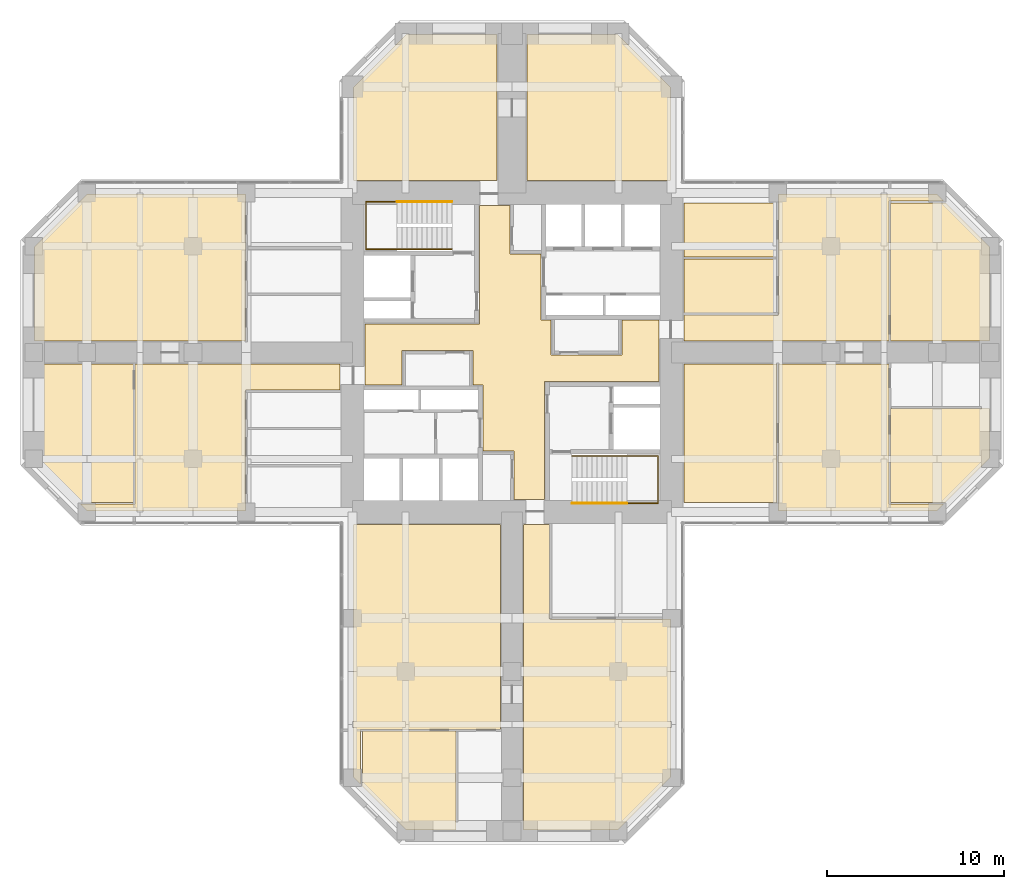
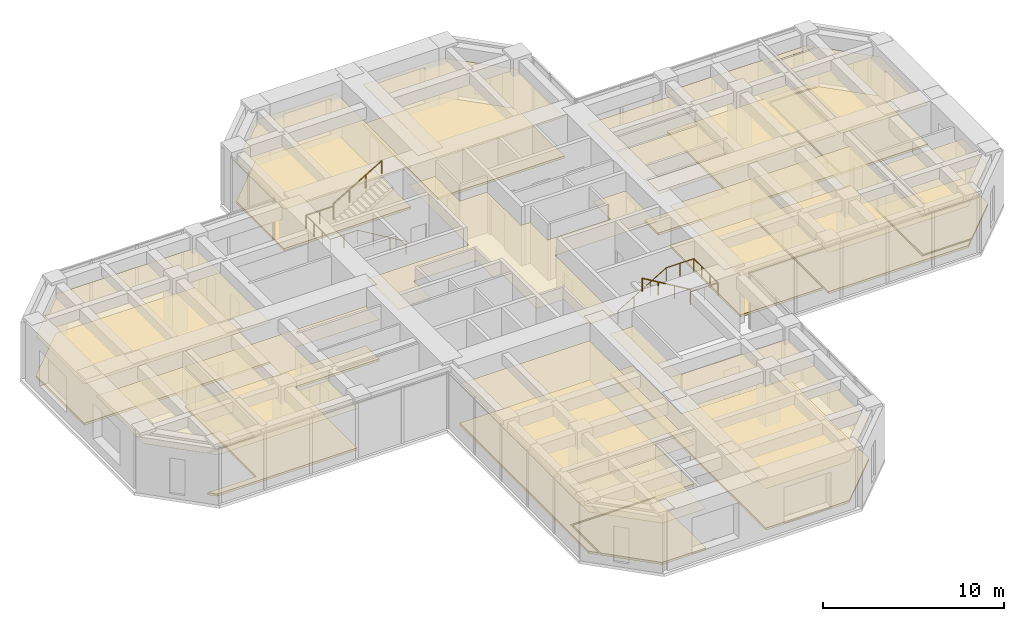
# One storey, part 12 of 12: 28 coverings, 4 railings.
"""IFC4 building model written with IfcOpenShell, lengths in metres."""

from ifc_helpers import new_model, si_unit, direction, frame, origin, origin_2d, place, context, subcontext, project, spatial, polyline, circle, outline, extrude, material, layer, layer_set, constituent, constituent_set, type_object, element, save


model = new_model("IFC4")

# Units and contexts
model_context = context("Model", 3, precision=1e-05, world=origin(), true_north=direction((0.0, 1.0)))
body_context = subcontext(model_context, "Body", "Model", "MODEL_VIEW")
ifc_project = project(units=[si_unit("LENGTHUNIT", "METRE"), si_unit("AREAUNIT", "SQUARE_METRE"), si_unit("VOLUMEUNIT", "CUBIC_METRE"), si_unit("PLANEANGLEUNIT", "RADIAN"), si_unit("MASSUNIT", "GRAM", prefix="KILO")], contexts=[model_context])

# Site, building, storey
site_placement = place(None, origin())
site = spatial("IfcSite", under=ifc_project, at=site_placement, CompositionType="ELEMENT")
building_placement = place(site_placement, origin())
building = spatial("IfcBuilding", under=site, at=building_placement, Name="Torre Cruceta", CompositionType="ELEMENT")
storey_placement = place(building_placement, frame((0.0, 0.0, 112.5)))
storey = spatial("IfcBuildingStorey", under=building, at=storey_placement, Name="L27", CompositionType="ELEMENT", Elevation=112.5)

# Railings
ifc_material_1 = material(Name="Stainless steel 1.4401", Category="steel")
railing_type = type_object("IfcRailingType", Name="HANDRAIL 900", PredefinedType="HANDRAIL", material=ifc_material_1)
railing_1_placement = place(storey_placement, frame((-3.39990234375, 5.8349609375, 0.166748046875)))
element("IfcRailing", 1, at=railing_1_placement, inside=storey, type_object=railing_type, Name="Handrail HR1 ST1 L27", PredefinedType="HANDRAIL", context=body_context, shape_type="SweptSolid", body=[
    extrude(circle(Radius=0.02392578125, at=origin_2d()), frame((0.0, 0.0, 0.8759765625), z_axis=(-0.859308565015, 0.0, 0.511457515432), x_axis=(0.0, -1.0, 0.0)), (0.0, 0.0, 1.0), 3.58447265625),
    extrude(circle(Radius=0.02392578125, at=origin_2d()), frame((-3.080078125, 0.0, 2.708984375), z_axis=(-1.0, 0.0, 0.0), x_axis=(0.0, -1.0, 0.0)), (0.0, 0.0, 1.0), 1.760009765625),
    extrude(circle(Radius=0.02392578125, at=origin_2d()), frame((-4.840087890625, 0.0, 2.708984375), z_axis=(0.0, 1.0, 0.0), x_axis=(-1.0, 0.0, 0.0)), (0.0, 0.0, 1.0), 2.679931640625),
    extrude(circle(Radius=0.02392578125, at=origin_2d()), frame((-4.840087890625, 2.679931640625, 2.708984375), z_axis=(1.0, 0.0, 0.0), x_axis=(0.0, 1.0, 0.0)), (0.0, 0.0, 1.0), 1.760009765625),
    extrude(circle(Radius=0.02099609375, at=origin_2d()), origin(), (0.0, 0.0, 1.0), 0.851806640625),
    extrude(circle(Radius=0.02099609375, at=origin_2d()), frame((-1.026611328125, 0.0, 0.611083984375)), (0.0, 0.0, 1.0), 0.851806640625),
    extrude(circle(Radius=0.02099609375, at=origin_2d()), frame((-2.053466796875, 0.0, 1.22216796875)), (0.0, 0.0, 1.0), 0.851806640625),
    extrude(circle(Radius=0.02099609375, at=origin_2d()), frame((-3.080078125, 0.0, 1.833251953125)), (0.0, 0.0, 1.0), 0.851806640625),
    extrude(circle(Radius=0.02099609375, at=origin_2d()), frame((-3.9599609375, 0.0, 1.833251953125)), (0.0, 0.0, 1.0), 0.851806640625),
    extrude(circle(Radius=0.02099609375, at=origin_2d()), frame((-4.840087890625, 0.0, 1.833251953125)), (0.0, 0.0, 1.0), 0.851806640625),
    extrude(circle(Radius=0.02099609375, at=origin_2d()), frame((-4.840087890625, 0.893310546875, 1.833251953125)), (0.0, 0.0, 1.0), 0.851806640625),
    extrude(circle(Radius=0.02099609375, at=origin_2d()), frame((-4.840087890625, 1.78662109375, 1.833251953125)), (0.0, 0.0, 1.0), 0.851806640625),
    extrude(circle(Radius=0.02099609375, at=origin_2d()), frame((-4.840087890625, 2.679931640625, 1.833251953125)), (0.0, 0.0, 1.0), 0.851806640625),
    extrude(circle(Radius=0.02099609375, at=origin_2d()), frame((-3.9599609375, 2.679931640625, 1.833251953125)), (0.0, 0.0, 1.0), 0.851806640625),
    extrude(circle(Radius=0.02099609375, at=origin_2d()), frame((-3.080078125, 2.679931640625, 1.833251953125)), (0.0, 0.0, 1.0), 0.851806640625),
])
railing_2_placement = place(storey_placement, frame((-6.47998046875, 8.514892578125, 2.166748046875)))
element("IfcRailing", 2, at=railing_2_placement, inside=storey, type_object=railing_type, Name="Handrail HR1 ST1 L27", PredefinedType="HANDRAIL", context=body_context, shape_type="SweptSolid", body=[
    extrude(circle(Radius=0.02392578125, at=origin_2d()), frame((0.0, 0.0, 0.8759765625), z_axis=(0.859308565015, 0.0, 0.511457515432), x_axis=(0.0, 1.0, 0.0)), (0.0, 0.0, 1.0), 3.58447265625),
    extrude(circle(Radius=0.02099609375, at=origin_2d()), origin(), (0.0, 0.0, 1.0), 0.851806640625),
    extrude(circle(Radius=0.02099609375, at=origin_2d()), frame((1.026611328125, 0.0, 0.611083984375)), (0.0, 0.0, 1.0), 0.851806640625),
    extrude(circle(Radius=0.02099609375, at=origin_2d()), frame((2.053466796875, 0.0, 1.22216796875)), (0.0, 0.0, 1.0), 0.851806640625),
    extrude(circle(Radius=0.02099609375, at=origin_2d()), frame((3.080078125, 0.0, 1.833251953125)), (0.0, 0.0, 1.0), 0.851806640625),
])
railing_3_placement = place(storey_placement, frame((3.39990234375, -5.8349609375, 0.166748046875)))
element("IfcRailing", 3, at=railing_3_placement, inside=storey, type_object=railing_type, Name="Handrail HR1 ST2 L27", PredefinedType="HANDRAIL", context=body_context, shape_type="SweptSolid", body=[
    extrude(circle(Radius=0.02392578125, at=origin_2d()), frame((0.0, 0.0, 0.8759765625), z_axis=(0.859308565015, 0.0, 0.511457515432), x_axis=(0.0, 1.0, 0.0)), (0.0, 0.0, 1.0), 3.58447265625),
    extrude(circle(Radius=0.02392578125, at=origin_2d()), frame((3.080078125, 0.0, 2.708984375), z_axis=(1.0, 0.0, 0.0), x_axis=(0.0, 1.0, 0.0)), (0.0, 0.0, 1.0), 1.760009765625),
    extrude(circle(Radius=0.02392578125, at=origin_2d()), frame((4.840087890625, 0.0, 2.708984375), z_axis=(0.0, -1.0, 0.0), x_axis=(1.0, 0.0, 0.0)), (0.0, 0.0, 1.0), 2.679931640625),
    extrude(circle(Radius=0.02392578125, at=origin_2d()), frame((4.840087890625, -2.679931640625, 2.708984375), z_axis=(-1.0, 0.0, 0.0), x_axis=(0.0, -1.0, 0.0)), (0.0, 0.0, 1.0), 1.760009765625),
    extrude(circle(Radius=0.02099609375, at=origin_2d()), origin(), (0.0, 0.0, 1.0), 0.851806640625),
    extrude(circle(Radius=0.02099609375, at=origin_2d()), frame((1.026611328125, 0.0, 0.611083984375)), (0.0, 0.0, 1.0), 0.851806640625),
    extrude(circle(Radius=0.02099609375, at=origin_2d()), frame((2.053466796875, 0.0, 1.22216796875)), (0.0, 0.0, 1.0), 0.851806640625),
    extrude(circle(Radius=0.02099609375, at=origin_2d()), frame((3.080078125, 0.0, 1.833251953125)), (0.0, 0.0, 1.0), 0.851806640625),
    extrude(circle(Radius=0.02099609375, at=origin_2d()), frame((3.9599609375, 0.0, 1.833251953125)), (0.0, 0.0, 1.0), 0.851806640625),
    extrude(circle(Radius=0.02099609375, at=origin_2d()), frame((4.840087890625, 0.0, 1.833251953125)), (0.0, 0.0, 1.0), 0.851806640625),
    extrude(circle(Radius=0.02099609375, at=origin_2d()), frame((4.840087890625, -0.893310546875, 1.833251953125)), (0.0, 0.0, 1.0), 0.851806640625),
    extrude(circle(Radius=0.02099609375, at=origin_2d()), frame((4.840087890625, -1.78662109375, 1.833251953125)), (0.0, 0.0, 1.0), 0.851806640625),
    extrude(circle(Radius=0.02099609375, at=origin_2d()), frame((4.840087890625, -2.679931640625, 1.833251953125)), (0.0, 0.0, 1.0), 0.851806640625),
    extrude(circle(Radius=0.02099609375, at=origin_2d()), frame((3.9599609375, -2.679931640625, 1.833251953125)), (0.0, 0.0, 1.0), 0.851806640625),
    extrude(circle(Radius=0.02099609375, at=origin_2d()), frame((3.080078125, -2.679931640625, 1.833251953125)), (0.0, 0.0, 1.0), 0.851806640625),
])
railing_4_placement = place(storey_placement, frame((6.47998046875, -8.514892578125, 2.166748046875)))
element("IfcRailing", 4, at=railing_4_placement, inside=storey, type_object=railing_type, Name="Handrail HR1 ST2 L27", PredefinedType="HANDRAIL", context=body_context, shape_type="SweptSolid", body=[
    extrude(circle(Radius=0.02392578125, at=origin_2d()), frame((0.0, 0.0, 0.8759765625), z_axis=(-0.859308565015, 0.0, 0.511457515432), x_axis=(0.0, -1.0, 0.0)), (0.0, 0.0, 1.0), 3.58447265625),
    extrude(circle(Radius=0.02099609375, at=origin_2d()), origin(), (0.0, 0.0, 1.0), 0.851806640625),
    extrude(circle(Radius=0.02099609375, at=origin_2d()), frame((-1.026611328125, 0.0, 0.611083984375)), (0.0, 0.0, 1.0), 0.851806640625),
    extrude(circle(Radius=0.02099609375, at=origin_2d()), frame((-2.053466796875, 0.0, 1.22216796875)), (0.0, 0.0, 1.0), 0.851806640625),
    extrude(circle(Radius=0.02099609375, at=origin_2d()), frame((-3.080078125, 0.0, 1.833251953125)), (0.0, 0.0, 1.0), 0.851806640625),
])

# Coverings
ifc_material_2 = material(Name="Steel DX51D", Category="steel")
ifc_constituent_1 = constituent(ifc_material_2, Name="Panel casing")
ifc_material_3 = material(Name="Calcium sulphate", Category="gypsum")
ifc_constituent_2 = constituent(ifc_material_3, Name="Panel core")
ifc_constituent_set = constituent_set(constituents=[ifc_constituent_1, ifc_constituent_2], Name="Raised access floor panel")
covering_type_1 = type_object("IfcCoveringType", Name="RAISED ACCESS FLOOR 150", PredefinedType="FLOORING", material=ifc_constituent_set)
covering_1_placement = place(storey_placement, origin())
element("IfcCovering", 5, at=covering_1_placement, inside=storey, type_object=covering_type_1, Name="Raised floor L27-027", PredefinedType="FLOORING", context=body_context, shape_type="SweptSolid", body=[
    extrude(outline(polyline([(-8.949951171875, 9.699951171875), (-8.949951171875, 14.979248046875), (-5.979248046875, 17.949951171875), (-0.85009765625, 17.949951171875), (-0.85009765625, 9.699951171875), (-8.949951171875, 9.699951171875)])), origin(), (0.0, 0.0, 1.0), 0.14990234375),
])
covering_2_placement = place(storey_placement, origin())
element("IfcCovering", 6, at=covering_2_placement, inside=storey, type_object=covering_type_1, Name="Raised floor L27-028", PredefinedType="FLOORING", context=body_context, shape_type="SweptSolid", body=[
    extrude(outline(polyline([(5.979248046875, 17.949951171875), (8.949951171875, 14.979248046875), (8.949951171875, 9.699951171875), (0.85009765625, 9.699951171875), (0.85009765625, 17.949951171875), (5.979248046875, 17.949951171875)])), origin(), (0.0, 0.0, 1.0), 0.14990234375),
])
covering_3_placement = place(storey_placement, origin())
element("IfcCovering", 7, at=covering_3_placement, inside=storey, type_object=covering_type_1, Name="Raised floor L27-031", PredefinedType="FLOORING", context=body_context, shape_type="SweptSolid", body=[
    extrude(outline(polyline([(9.699951171875, -8.449951171875), (9.699951171875, -0.64990234375), (14.949951171875, -0.64990234375), (14.949951171875, -8.449951171875), (9.699951171875, -8.449951171875)])), origin(), (0.0, 0.0, 1.0), 0.14990234375),
])
covering_4_placement = place(storey_placement, origin())
element("IfcCovering", 8, at=covering_4_placement, inside=storey, type_object=covering_type_1, Name="Raised floor L27-032", PredefinedType="FLOORING", context=body_context, shape_type="SweptSolid", body=[
    extrude(outline(polyline([(26.949951171875, 0.64990234375), (21.3701171875, 0.64990234375), (21.3701171875, 8.449951171875), (24.479248046875, 8.449951171875), (26.949951171875, 5.979248046875), (26.949951171875, 0.64990234375)])), origin(), (0.0, 0.0, 1.0), 0.14990234375),
])
covering_5_placement = place(storey_placement, origin())
element("IfcCovering", 9, at=covering_5_placement, inside=storey, type_object=covering_type_1, Name="Raised floor L27-034", PredefinedType="FLOORING", context=body_context, shape_type="SweptSolid", body=[
    extrude(outline(polyline([(24.479248046875, -8.449951171875), (21.3701171875, -8.449951171875), (21.3701171875, -3.16796875), (26.949951171875, -3.16796875), (26.949951171875, -5.979248046875), (24.479248046875, -8.449951171875)])), origin(), (0.0, 0.0, 1.0), 0.14990234375),
])
covering_6_placement = place(storey_placement, origin())
element("IfcCovering", 10, at=covering_6_placement, inside=storey, type_object=covering_type_1, Name="Raised floor L27-035", PredefinedType="FLOORING", context=body_context, shape_type="SweptSolid", body=[
    extrude(outline(polyline([(9.699951171875, 2.125), (15.050048828125, 2.125), (15.050048828125, 8.949951171875), (23.979248046875, 8.949951171875), (24.37939453125, 8.550048828125), (21.27001953125, 8.550048828125), (21.27001953125, 0.64990234375), (9.699951171875, 0.64990234375), (9.699951171875, 2.125)])), origin(), (0.0, 0.0, 1.0), 0.14990234375),
])
covering_7_placement = place(storey_placement, origin())
element("IfcCovering", 11, at=covering_7_placement, inside=storey, type_object=covering_type_1, Name="Raised floor L27-036", PredefinedType="FLOORING", context=body_context, shape_type="SweptSolid", body=[
    extrude(outline(polyline([(15.050048828125, -8.949951171875), (15.050048828125, -0.64990234375), (21.27001953125, -0.64990234375), (21.27001953125, -8.550048828125), (24.37939453125, -8.550048828125), (23.979248046875, -8.949951171875), (15.050048828125, -8.949951171875)])), origin(), (0.0, 0.0, 1.0), 0.14990234375),
])
covering_8_placement = place(storey_placement, origin())
element("IfcCovering", 12, at=covering_8_placement, inside=storey, type_object=covering_type_1, Name="Raised floor L27-039", PredefinedType="FLOORING", context=body_context, shape_type="SweptSolid", body=[
    extrude(outline(polyline([(-8.449951171875, -24.479248046875), (-8.449951171875, -21.3701171875), (-3.16796875, -21.3701171875), (-3.16796875, -26.949951171875), (-5.979248046875, -26.949951171875), (-8.449951171875, -24.479248046875)])), origin(), (0.0, 0.0, 1.0), 0.14990234375),
])
covering_9_placement = place(storey_placement, origin())
element("IfcCovering", 13, at=covering_9_placement, inside=storey, type_object=covering_type_1, Name="Raised floor L27-040", PredefinedType="FLOORING", context=body_context, shape_type="SweptSolid", body=[
    extrude(outline(polyline([(0.64990234375, -26.949951171875), (0.64990234375, -9.699951171875), (2.125, -9.699951171875), (2.125, -15.050048828125), (8.949951171875, -15.050048828125), (8.949951171875, -23.979248046875), (5.979248046875, -26.949951171875), (0.64990234375, -26.949951171875)])), origin(), (0.0, 0.0, 1.0), 0.14990234375),
])
covering_10_placement = place(storey_placement, origin())
element("IfcCovering", 14, at=covering_10_placement, inside=storey, type_object=covering_type_1, Name="Raised floor L27-041", PredefinedType="FLOORING", context=body_context, shape_type="SweptSolid", body=[
    extrude(outline(polyline([(-8.550048828125, -21.27001953125), (-8.550048828125, -24.37939453125), (-8.949951171875, -23.979248046875), (-8.949951171875, -9.699951171875), (-0.64990234375, -9.699951171875), (-0.64990234375, -21.27001953125), (-8.550048828125, -21.27001953125)])), origin(), (0.0, 0.0, 1.0), 0.14990234375),
])
covering_11_placement = place(storey_placement, origin())
element("IfcCovering", 15, at=covering_11_placement, inside=storey, type_object=covering_type_1, Name="Raised floor L27-049", PredefinedType="FLOORING", context=body_context, shape_type="SweptSolid", body=[
    extrude(outline(polyline([(-9.699951171875, -2.125), (-15.050048828125, -2.125), (-15.050048828125, -8.949951171875), (-23.979248046875, -8.949951171875), (-24.37939453125, -8.550048828125), (-21.27001953125, -8.550048828125), (-21.27001953125, -0.64990234375), (-9.699951171875, -0.64990234375), (-9.699951171875, -2.125)])), origin(), (0.0, 0.0, 1.0), 0.14990234375),
])
covering_12_placement = place(storey_placement, origin())
element("IfcCovering", 16, at=covering_12_placement, inside=storey, type_object=covering_type_1, Name="Raised floor L27-050", PredefinedType="FLOORING", context=body_context, shape_type="SweptSolid", body=[
    extrude(outline(polyline([(-23.979248046875, 8.949951171875), (-15.050048828125, 8.949951171875), (-15.050048828125, 0.64990234375), (-26.949951171875, 0.64990234375), (-26.949951171875, 5.979248046875), (-23.979248046875, 8.949951171875)])), origin(), (0.0, 0.0, 1.0), 0.14990234375),
])
ifc_material_4 = material(Name="Mineral fibre ceiling tile", Category="gypsum")
ifc_layer = layer(ifc_material_4, 0.02001953125)
ifc_layer_set = layer_set([ifc_layer], Name="Mineral fibre ceiling tile")
covering_type_2 = type_object("IfcCoveringType", Name="SUSPENDED CEILING 20", PredefinedType="CEILING", material=ifc_layer_set)
covering_13_placement = place(storey_placement, frame((0.0, 0.0, 2.780029296875)))
element("IfcCovering", 17, at=covering_13_placement, inside=storey, type_object=covering_type_2, Name="Ceiling L27-001", PredefinedType="CEILING", context=body_context, shape_type="SweptSolid", body=[
    extrude(outline(polyline([(1.824951171875, -8.300048828125), (0.125, -8.300048828125), (0.125, -5.550048828125), (-1.625, -5.550048828125), (-1.625, -1.824951171875), (-2.199951171875, -1.824951171875), (-2.199951171875, 0.125), (-6.199951171875, 0.125), (-6.199951171875, -1.824951171875), (-8.300048828125, -1.824951171875), (-8.300048828125, 1.625), (-1.824951171875, 1.625), (-1.824951171875, 8.300048828125), (-0.125, 8.300048828125), (-0.125, 5.550048828125), (1.625, 5.550048828125), (1.625, 1.824951171875), (2.199951171875, 1.824951171875), (2.199951171875, -0.125), (6.199951171875, -0.125), (6.199951171875, 1.824951171875), (8.300048828125, 1.824951171875), (8.300048828125, -1.625), (1.824951171875, -1.625), (1.824951171875, -8.300048828125)])), origin(), (0.0, 0.0, 1.0), 0.02001953125),
])
covering_14_placement = place(storey_placement, frame((0.0, 0.0, 2.780029296875)))
element("IfcCovering", 18, at=covering_14_placement, inside=storey, type_object=covering_type_2, Name="Ceiling L27-027", PredefinedType="CEILING", context=body_context, shape_type="SweptSolid", body=[
    extrude(outline(polyline([(-8.949951171875, 9.699951171875), (-8.949951171875, 14.979248046875), (-5.979248046875, 17.949951171875), (-0.85009765625, 17.949951171875), (-0.85009765625, 9.699951171875), (-8.949951171875, 9.699951171875)])), origin(), (0.0, 0.0, 1.0), 0.02001953125),
])
covering_15_placement = place(storey_placement, frame((0.0, 0.0, 2.780029296875)))
element("IfcCovering", 19, at=covering_15_placement, inside=storey, type_object=covering_type_2, Name="Ceiling L27-028", PredefinedType="CEILING", context=body_context, shape_type="SweptSolid", body=[
    extrude(outline(polyline([(5.979248046875, 17.949951171875), (8.949951171875, 14.979248046875), (8.949951171875, 9.699951171875), (0.85009765625, 9.699951171875), (0.85009765625, 17.949951171875), (5.979248046875, 17.949951171875)])), origin(), (0.0, 0.0, 1.0), 0.02001953125),
])
covering_16_placement = place(storey_placement, frame((0.0, 0.0, 2.780029296875)))
element("IfcCovering", 20, at=covering_16_placement, inside=storey, type_object=covering_type_2, Name="Ceiling L27-029", PredefinedType="CEILING", context=body_context, shape_type="SweptSolid", body=[
    extrude(outline(polyline([(9.699951171875, 2.22509765625), (9.699951171875, 5.28759765625), (14.949951171875, 5.28759765625), (14.949951171875, 2.22509765625), (9.699951171875, 2.22509765625)])), origin(), (0.0, 0.0, 1.0), 0.02001953125),
])
covering_17_placement = place(storey_placement, frame((0.0, 0.0, 2.780029296875)))
element("IfcCovering", 21, at=covering_17_placement, inside=storey, type_object=covering_type_2, Name="Ceiling L27-030", PredefinedType="CEILING", context=body_context, shape_type="SweptSolid", body=[
    extrude(outline(polyline([(9.699951171875, 5.387451171875), (9.699951171875, 8.449951171875), (14.949951171875, 8.449951171875), (14.949951171875, 5.387451171875), (9.699951171875, 5.387451171875)])), origin(), (0.0, 0.0, 1.0), 0.02001953125),
])
covering_18_placement = place(storey_placement, frame((0.0, 0.0, 2.780029296875)))
element("IfcCovering", 22, at=covering_18_placement, inside=storey, type_object=covering_type_2, Name="Ceiling L27-031", PredefinedType="CEILING", context=body_context, shape_type="SweptSolid", body=[
    extrude(outline(polyline([(9.699951171875, -8.449951171875), (9.699951171875, -0.64990234375), (14.949951171875, -0.64990234375), (14.949951171875, -8.449951171875), (9.699951171875, -8.449951171875)])), origin(), (0.0, 0.0, 1.0), 0.02001953125),
])
covering_19_placement = place(storey_placement, frame((0.0, 0.0, 2.780029296875)))
element("IfcCovering", 23, at=covering_19_placement, inside=storey, type_object=covering_type_2, Name="Ceiling L27-032", PredefinedType="CEILING", context=body_context, shape_type="SweptSolid", body=[
    extrude(outline(polyline([(26.949951171875, 0.64990234375), (21.3701171875, 0.64990234375), (21.3701171875, 8.449951171875), (24.479248046875, 8.449951171875), (26.949951171875, 5.979248046875), (26.949951171875, 0.64990234375)])), origin(), (0.0, 0.0, 1.0), 0.02001953125),
])
covering_20_placement = place(storey_placement, frame((0.0, 0.0, 2.780029296875)))
element("IfcCovering", 24, at=covering_20_placement, inside=storey, type_object=covering_type_2, Name="Ceiling L27-034", PredefinedType="CEILING", context=body_context, shape_type="SweptSolid", body=[
    extrude(outline(polyline([(24.479248046875, -8.449951171875), (21.3701171875, -8.449951171875), (21.3701171875, -3.16796875), (26.949951171875, -3.16796875), (26.949951171875, -5.979248046875), (24.479248046875, -8.449951171875)])), origin(), (0.0, 0.0, 1.0), 0.02001953125),
])
covering_21_placement = place(storey_placement, frame((0.0, 0.0, 2.780029296875)))
element("IfcCovering", 25, at=covering_21_placement, inside=storey, type_object=covering_type_2, Name="Ceiling L27-035", PredefinedType="CEILING", context=body_context, shape_type="SweptSolid", body=[
    extrude(outline(polyline([(9.699951171875, 2.125), (15.050048828125, 2.125), (15.050048828125, 8.949951171875), (23.979248046875, 8.949951171875), (24.37939453125, 8.550048828125), (21.27001953125, 8.550048828125), (21.27001953125, 0.64990234375), (9.699951171875, 0.64990234375), (9.699951171875, 2.125)])), origin(), (0.0, 0.0, 1.0), 0.02001953125),
])
covering_22_placement = place(storey_placement, frame((0.0, 0.0, 2.780029296875)))
element("IfcCovering", 26, at=covering_22_placement, inside=storey, type_object=covering_type_2, Name="Ceiling L27-036", PredefinedType="CEILING", context=body_context, shape_type="SweptSolid", body=[
    extrude(outline(polyline([(15.050048828125, -8.949951171875), (15.050048828125, -0.64990234375), (21.27001953125, -0.64990234375), (21.27001953125, -8.550048828125), (24.37939453125, -8.550048828125), (23.979248046875, -8.949951171875), (15.050048828125, -8.949951171875)])), origin(), (0.0, 0.0, 1.0), 0.02001953125),
])
covering_23_placement = place(storey_placement, frame((0.0, 0.0, 2.780029296875)))
element("IfcCovering", 27, at=covering_23_placement, inside=storey, type_object=covering_type_2, Name="Ceiling L27-039", PredefinedType="CEILING", context=body_context, shape_type="SweptSolid", body=[
    extrude(outline(polyline([(-8.449951171875, -24.479248046875), (-8.449951171875, -21.3701171875), (-3.16796875, -21.3701171875), (-3.16796875, -26.949951171875), (-5.979248046875, -26.949951171875), (-8.449951171875, -24.479248046875)])), origin(), (0.0, 0.0, 1.0), 0.02001953125),
])
covering_24_placement = place(storey_placement, frame((0.0, 0.0, 2.780029296875)))
element("IfcCovering", 28, at=covering_24_placement, inside=storey, type_object=covering_type_2, Name="Ceiling L27-040", PredefinedType="CEILING", context=body_context, shape_type="SweptSolid", body=[
    extrude(outline(polyline([(0.64990234375, -26.949951171875), (0.64990234375, -9.699951171875), (2.125, -9.699951171875), (2.125, -15.050048828125), (8.949951171875, -15.050048828125), (8.949951171875, -23.979248046875), (5.979248046875, -26.949951171875), (0.64990234375, -26.949951171875)])), origin(), (0.0, 0.0, 1.0), 0.02001953125),
])
covering_25_placement = place(storey_placement, frame((0.0, 0.0, 2.780029296875)))
element("IfcCovering", 29, at=covering_25_placement, inside=storey, type_object=covering_type_2, Name="Ceiling L27-041", PredefinedType="CEILING", context=body_context, shape_type="SweptSolid", body=[
    extrude(outline(polyline([(-8.550048828125, -21.27001953125), (-8.550048828125, -24.37939453125), (-8.949951171875, -23.979248046875), (-8.949951171875, -9.699951171875), (-0.64990234375, -9.699951171875), (-0.64990234375, -21.27001953125), (-8.550048828125, -21.27001953125)])), origin(), (0.0, 0.0, 1.0), 0.02001953125),
])
covering_26_placement = place(storey_placement, frame((0.0, 0.0, 2.780029296875)))
element("IfcCovering", 30, at=covering_26_placement, inside=storey, type_object=covering_type_2, Name="Ceiling L27-048", PredefinedType="CEILING", context=body_context, shape_type="SweptSolid", body=[
    extrude(outline(polyline([(-26.949951171875, -0.64990234375), (-21.3701171875, -0.64990234375), (-21.3701171875, -8.449951171875), (-24.479248046875, -8.449951171875), (-26.949951171875, -5.979248046875), (-26.949951171875, -0.64990234375)])), origin(), (0.0, 0.0, 1.0), 0.02001953125),
])
covering_27_placement = place(storey_placement, frame((0.0, 0.0, 2.780029296875)))
element("IfcCovering", 31, at=covering_27_placement, inside=storey, type_object=covering_type_2, Name="Ceiling L27-049", PredefinedType="CEILING", context=body_context, shape_type="SweptSolid", body=[
    extrude(outline(polyline([(-9.699951171875, -2.125), (-15.050048828125, -2.125), (-15.050048828125, -8.949951171875), (-23.979248046875, -8.949951171875), (-24.37939453125, -8.550048828125), (-21.27001953125, -8.550048828125), (-21.27001953125, -0.64990234375), (-9.699951171875, -0.64990234375), (-9.699951171875, -2.125)])), origin(), (0.0, 0.0, 1.0), 0.02001953125),
])
covering_28_placement = place(storey_placement, frame((0.0, 0.0, 2.780029296875)))
element("IfcCovering", 32, at=covering_28_placement, inside=storey, type_object=covering_type_2, Name="Ceiling L27-050", PredefinedType="CEILING", context=body_context, shape_type="SweptSolid", body=[
    extrude(outline(polyline([(-23.979248046875, 8.949951171875), (-15.050048828125, 8.949951171875), (-15.050048828125, 0.64990234375), (-26.949951171875, 0.64990234375), (-26.949951171875, 5.979248046875), (-23.979248046875, 8.949951171875)])), origin(), (0.0, 0.0, 1.0), 0.02001953125),
])

save(model, "model.ifc")
